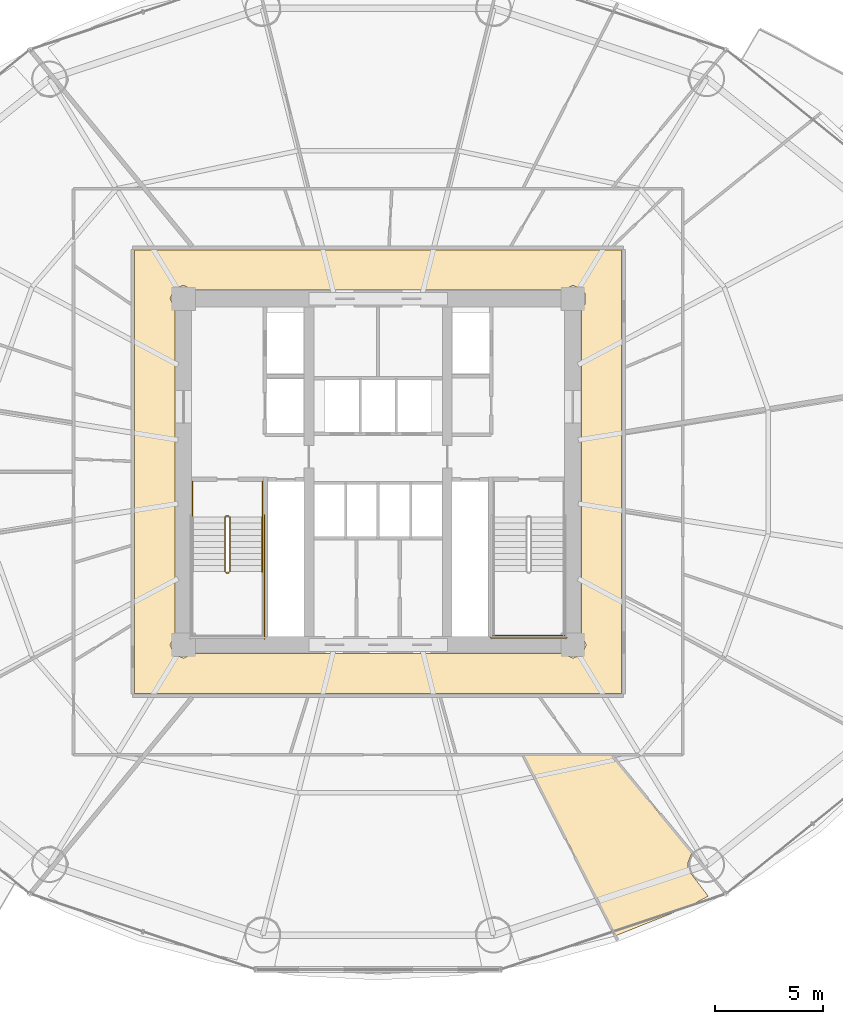
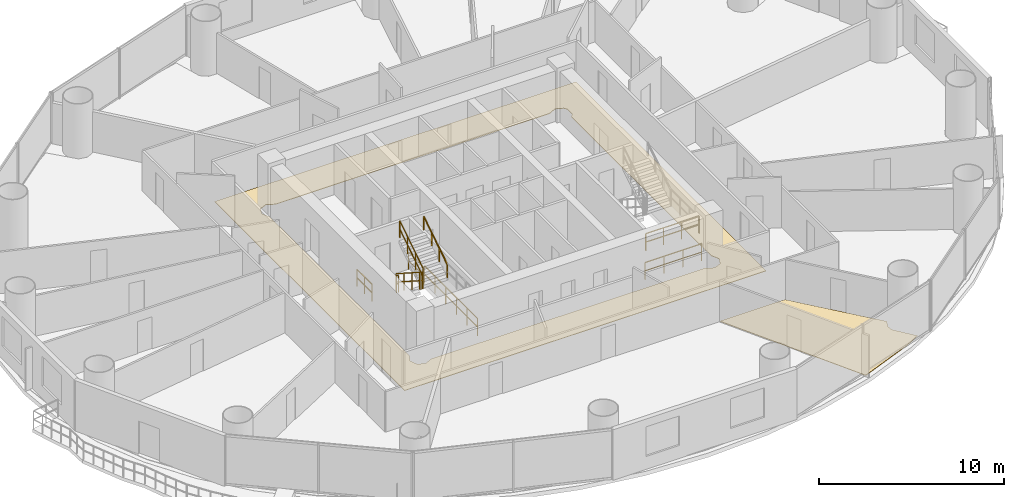
# One storey, part 26 of 28: 10 railings, 2 coverings.
"""IFC4 building model written with IfcOpenShell, lengths in metres."""

from ifc_helpers import new_model, si_unit, direction, frame, origin, origin_2d, place, context, subcontext, project, spatial, polyline, rectangle, outline, extrude, material, layer, layer_set, type_object, element, save


model = new_model("IFC4")

# Units and contexts
model_context = context("Model", 3, precision=1e-05, world=origin(), true_north=direction((-0.2419218956, 0.970295726276)))
body_context = subcontext(model_context, "Body", "Model", "MODEL_VIEW")
ifc_project = project(units=[si_unit("LENGTHUNIT", "METRE"), si_unit("AREAUNIT", "SQUARE_METRE"), si_unit("VOLUMEUNIT", "CUBIC_METRE"), si_unit("PLANEANGLEUNIT", "RADIAN"), si_unit("MASSUNIT", "GRAM", prefix="KILO")], contexts=[model_context])

# Site, building, storey
site_placement = place(None, origin())
site = spatial("IfcSite", under=ifc_project, at=site_placement, CompositionType="ELEMENT")
building_placement = place(site_placement, origin())
building = spatial("IfcBuilding", under=site, at=building_placement, Name="Cobrevalo Terracotta Tower", CompositionType="ELEMENT")
storey_placement = place(building_placement, frame((0.0, 0.0, 34.800048828125)))
storey = spatial("IfcBuildingStorey", under=building, at=storey_placement, Name="L08", CompositionType="ELEMENT", Elevation=34.800048828125)

# Coverings
ifc_material_1 = material(Name="Engineered Brazilian hardwood flooring", Category="wood")
ifc_layer_1 = layer(ifc_material_1, 0.028076171875)
ifc_layer_set_1 = layer_set([ifc_layer_1], Name="Engineered Brazilian hardwood flooring")
covering_type_1 = type_object("IfcCoveringType", Name="Engineered Hardwood Suite Flooring 28", PredefinedType="FLOORING", material=ifc_layer_set_1)
covering_1_placement = place(storey_placement, origin())
element("IfcCovering", 1, at=covering_1_placement, inside=storey, type_object=covering_type_1, Name="Flat L08C Master Bedroom floor finish", PredefinedType="FLOORING", context=body_context, shape_type="SweptSolid", body=[
    extrude(outline(polyline([(48.9873046875, 5.3486328125), (44.72119140625, 13.695068359375), (48.780029296875, 13.695068359375), (52.5048828125, 9.177490234375), (52.318115234375, 8.71044921875), (52.35498046875, 8.369140625), (53.26318359375, 7.178955078125), (52.361572265625, 6.691650390625), (48.9873046875, 5.3486328125)])), origin(), (0.0, 0.0, 1.0), 0.030029296875),
])
ifc_material_2 = material(Name="Honed terracotta and granite tile", Category="masonry")
ifc_layer_2 = layer(ifc_material_2, 0.034912109375)
ifc_layer_set_2 = layer_set([ifc_layer_2], Name="Honed terracotta and granite tile")
covering_type_2 = type_object("IfcCoveringType", Name="Honed Terracotta & Granite Interior Flooring 35", PredefinedType="FLOORING", material=ifc_layer_set_2)
covering_2_placement = place(storey_placement, origin())
element("IfcCovering", 2, at=covering_2_placement, inside=storey, type_object=covering_type_2, Name="L08 Residential Floor Corridor floor finish", PredefinedType="FLOORING", context=body_context, shape_type="SweptSolid", body=[
    extrude(outline(polyline([(49.2548828125, 37.054931640625), (49.2548828125, 16.544921875), (26.7451171875, 16.544921875), (26.7451171875, 37.054931640625), (49.2548828125, 37.054931640625)]), holes=[polyline([(47.39501953125, 34.33203125), (47.5732421875, 34.5625), (47.5732421875, 35.037353515625), (47.438720703125, 35.23876953125), (47.0, 35.42041015625), (46.5322265625, 35.195068359375), (29.4677734375, 35.195068359375), (29.0, 35.42041015625), (28.561279296875, 35.23876953125), (28.379638671875, 34.800048828125), (28.60498046875, 34.33203125), (28.60498046875, 19.267822265625), (28.379638671875, 18.800048828125), (28.561279296875, 18.361328125), (29.0, 18.1796875), (29.4677734375, 18.405029296875), (46.5322265625, 18.405029296875), (47.0, 18.1796875), (47.438720703125, 18.361328125), (47.620361328125, 18.800048828125), (47.39501953125, 19.267822265625), (47.39501953125, 34.33203125)])]), origin(), (0.0, 0.0, 1.0), 0.030029296875),
])

# Railings
ifc_material_3 = material(Name="Brushed stainless steel", Category="steel")
railing_type_1 = type_object("IfcRailingType", Name="Stainless Steel Stair Handrail 900", PredefinedType="HANDRAIL", material=ifc_material_3)
railing_1_placement = place(storey_placement, frame((32.64501953125, 22.179931640625, 1.97998046875)))
element("IfcRailing", 3, at=railing_1_placement, inside=storey, type_object=railing_type_1, Name="L08 ST-1 stair handrail 2", PredefinedType="HANDRAIL", context=body_context, shape_type="SweptSolid", body=[
    extrude(rectangle(XDim=0.048095703125, YDim=0.048095703125, at=origin_2d()), frame((0.0, 0.0, 0.8759765625), z_axis=(0.0, 0.841199657755, 0.540724639528), x_axis=(-1.0, 0.0, 0.0)), (0.0, 0.0, 1.0), 2.995849609375),
    extrude(rectangle(XDim=0.0419921875, YDim=0.0419921875, at=origin_2d()), origin(), (0.0, 0.0, 1.0), 0.851806640625),
    extrude(rectangle(XDim=0.0419921875, YDim=0.0419921875, at=origin_2d()), frame((0.0, 0.840087890625, 0.5400390625)), (0.0, 0.0, 1.0), 0.851806640625),
    extrude(rectangle(XDim=0.0419921875, YDim=0.0419921875, at=origin_2d()), frame((0.0, 1.679931640625, 1.079833984375)), (0.0, 0.0, 1.0), 0.851806640625),
    extrude(rectangle(XDim=0.0419921875, YDim=0.0419921875, at=origin_2d()), frame((0.0, 2.52001953125, 1.619873046875)), (0.0, 0.0, 1.0), 0.851806640625),
])
ifc_material_4 = material(Name="Painted galvanized steel", Category="steel")
railing_type_2 = type_object("IfcRailingType", Name="Stair Well Guard Balustrade 1150", PredefinedType="GUARDRAIL", material=ifc_material_4)
railing_2_placement = place(storey_placement, frame((30.925048828125, 24.699951171875, 0.179931640625)))
element("IfcRailing", 4, at=railing_2_placement, inside=storey, type_object=railing_type_2, Name="L08 ST-1 stair guard 1", PredefinedType="GUARDRAIL", context=body_context, shape_type="SweptSolid", body=[
    extrude(rectangle(XDim=0.048095703125, YDim=0.048095703125, at=origin_2d()), frame((0.0, 0.0, 1.1259765625), z_axis=(0.0, -0.841162588446, 0.540782303519), x_axis=(1.0, 0.0, 0.0)), (0.0, 0.0, 1.0), 2.995849609375),
    extrude(rectangle(XDim=0.048095703125, YDim=0.048095703125, at=origin_2d()), frame((0.0, 0.0, 0.574951171875), z_axis=(0.0, -0.841162588446, 0.540782303519), x_axis=(1.0, 0.0, 0.0)), (0.0, 0.0, 1.0), 2.995849609375),
    extrude(rectangle(XDim=0.0419921875, YDim=0.0419921875, at=origin_2d()), origin(), (0.0, 0.0, 1.0), 1.101806640625),
    extrude(rectangle(XDim=0.0419921875, YDim=0.0419921875, at=origin_2d()), frame((0.0, -0.840087890625, 0.5400390625)), (0.0, 0.0, 1.0), 1.101806640625),
    extrude(rectangle(XDim=0.0419921875, YDim=0.0419921875, at=origin_2d()), frame((0.0, -1.679931640625, 1.080078125)), (0.0, 0.0, 1.0), 1.101806640625),
    extrude(rectangle(XDim=0.0419921875, YDim=0.0419921875, at=origin_2d()), frame((0.0, -2.52001953125, 1.6201171875)), (0.0, 0.0, 1.0), 1.101806640625),
])
railing_3_placement = place(storey_placement, frame((30.97509765625, 22.1298828125, 1.800048828125)))
element("IfcRailing", 5, at=railing_3_placement, inside=storey, type_object=railing_type_2, Name="L08 ST-1 stair guard 2", PredefinedType="GUARDRAIL", context=body_context, shape_type="SweptSolid", body=[
    extrude(rectangle(XDim=0.048095703125, YDim=0.048095703125, at=origin_2d()), frame((0.0, 0.0, 1.1259765625), z_axis=(1.0, 0.0, 0.0), x_axis=(0.0, 1.0, 0.0)), (0.0, 0.0, 1.0), 0.119873046875),
    extrude(rectangle(XDim=0.048095703125, YDim=0.048095703125, at=origin_2d()), frame((0.0, 0.0, 0.574951171875), z_axis=(1.0, 0.0, 0.0), x_axis=(0.0, 1.0, 0.0)), (0.0, 0.0, 1.0), 0.119873046875),
    extrude(rectangle(XDim=0.0419921875, YDim=0.0419921875, at=origin_2d()), origin(), (0.0, 0.0, 1.0), 1.101806640625),
    extrude(rectangle(XDim=0.0419921875, YDim=0.0419921875, at=origin_2d()), frame((0.119873046875, 0.0, 0.0)), (0.0, 0.0, 1.0), 1.101806640625),
])
railing_4_placement = place(storey_placement, frame((31.14501953125, 22.179931640625, 1.97998046875)))
element("IfcRailing", 6, at=railing_4_placement, inside=storey, type_object=railing_type_2, Name="L08 ST-1 stair guard 6", PredefinedType="GUARDRAIL", context=body_context, shape_type="SweptSolid", body=[
    extrude(rectangle(XDim=0.048095703125, YDim=0.048095703125, at=origin_2d()), frame((0.0, 0.0, 1.1259765625), z_axis=(0.0, 0.841199657755, 0.540724639528), x_axis=(-1.0, 0.0, 0.0)), (0.0, 0.0, 1.0), 2.995849609375),
    extrude(rectangle(XDim=0.048095703125, YDim=0.048095703125, at=origin_2d()), frame((0.0, 0.0, 0.574951171875), z_axis=(0.0, 0.841199657755, 0.540724639528), x_axis=(-1.0, 0.0, 0.0)), (0.0, 0.0, 1.0), 2.995849609375),
    extrude(rectangle(XDim=0.0419921875, YDim=0.0419921875, at=origin_2d()), origin(), (0.0, 0.0, 1.0), 1.101806640625),
    extrude(rectangle(XDim=0.0419921875, YDim=0.0419921875, at=origin_2d()), frame((0.0, 0.840087890625, 0.5400390625)), (0.0, 0.0, 1.0), 1.101806640625),
    extrude(rectangle(XDim=0.0419921875, YDim=0.0419921875, at=origin_2d()), frame((0.0, 1.679931640625, 1.079833984375)), (0.0, 0.0, 1.0), 1.101806640625),
    extrude(rectangle(XDim=0.0419921875, YDim=0.0419921875, at=origin_2d()), frame((0.0, 2.52001953125, 1.619873046875)), (0.0, 0.0, 1.0), 1.101806640625),
])
railing_5_placement = place(storey_placement, frame((30.97509765625, 24.75, 0.0)))
element("IfcRailing", 7, at=railing_5_placement, inside=storey, type_object=railing_type_2, Name="L08 ST-1 stair guard 7", PredefinedType="GUARDRAIL", context=body_context, shape_type="SweptSolid", body=[
    extrude(rectangle(XDim=0.048095703125, YDim=0.048095703125, at=origin_2d()), frame((0.0, 0.0, 1.1259765625), z_axis=(1.0, 0.0, 0.0), x_axis=(0.0, 1.0, 0.0)), (0.0, 0.0, 1.0), 0.119873046875),
    extrude(rectangle(XDim=0.048095703125, YDim=0.048095703125, at=origin_2d()), frame((0.0, 0.0, 0.574951171875), z_axis=(1.0, 0.0, 0.0), x_axis=(0.0, 1.0, 0.0)), (0.0, 0.0, 1.0), 0.119873046875),
    extrude(rectangle(XDim=0.0419921875, YDim=0.0419921875, at=origin_2d()), origin(), (0.0, 0.0, 1.0), 1.101806640625),
    extrude(rectangle(XDim=0.0419921875, YDim=0.0419921875, at=origin_2d()), frame((0.119873046875, 0.0, 0.0)), (0.0, 0.0, 1.0), 1.101806640625),
])
for number, where, name in (
    (8, (29.425048828125, 26.35009765625, 0.0), "L08 ST-1 stair guard 8"),
    (9, (32.64501953125, 26.35009765625, 0.0), "L08 ST-1 stair guard 9"),
):
    element("IfcRailing", number, at=place(storey_placement, frame(where)), inside=storey, type_object=railing_type_2, Name=name, PredefinedType="GUARDRAIL", context=body_context, shape_type="SweptSolid", body=[
        extrude(rectangle(XDim=0.048095703125, YDim=0.048095703125, at=origin_2d()), frame((0.0, 0.0, 1.1259765625), z_axis=(0.0, -1.0, 0.0), x_axis=(1.0, 0.0, 0.0)), (0.0, 0.0, 1.0), 1.650146484375),
        extrude(rectangle(XDim=0.048095703125, YDim=0.048095703125, at=origin_2d()), frame((0.0, 0.0, 0.574951171875), z_axis=(0.0, -1.0, 0.0), x_axis=(1.0, 0.0, 0.0)), (0.0, 0.0, 1.0), 1.650146484375),
        extrude(rectangle(XDim=0.0419921875, YDim=0.0419921875, at=origin_2d()), origin(), (0.0, 0.0, 1.0), 1.101806640625),
        extrude(rectangle(XDim=0.0419921875, YDim=0.0419921875, at=origin_2d()), frame((0.0, -0.8251953125, 0.0)), (0.0, 0.0, 1.0), 1.101806640625),
        extrude(rectangle(XDim=0.0419921875, YDim=0.0419921875, at=origin_2d()), frame((0.0, -1.650146484375, 0.0)), (0.0, 0.0, 1.0), 1.101806640625),
    ])
railing_6_placement = place(storey_placement, frame((32.7451171875, 24.800048828125, 0.0)))
element("IfcRailing", 10, at=railing_6_placement, inside=storey, type_object=railing_type_2, Name="L08 ST-1 stair guard 11", PredefinedType="GUARDRAIL", context=body_context, shape_type="SweptSolid", body=[
    extrude(rectangle(XDim=0.048095703125, YDim=0.048095703125, at=origin_2d()), frame((0.0, 0.0, 1.1259765625), z_axis=(0.0, -1.0, 0.0), x_axis=(1.0, 0.0, 0.0)), (0.0, 0.0, 1.0), 5.72509765625),
    extrude(rectangle(XDim=0.048095703125, YDim=0.048095703125, at=origin_2d()), frame((0.0, 0.0, 0.574951171875), z_axis=(0.0, -1.0, 0.0), x_axis=(1.0, 0.0, 0.0)), (0.0, 0.0, 1.0), 5.72509765625),
    extrude(rectangle(XDim=0.0419921875, YDim=0.0419921875, at=origin_2d()), origin(), (0.0, 0.0, 1.0), 1.101806640625),
    extrude(rectangle(XDim=0.0419921875, YDim=0.0419921875, at=origin_2d()), frame((0.0, -1.14501953125, 0.0)), (0.0, 0.0, 1.0), 1.101806640625),
    extrude(rectangle(XDim=0.0419921875, YDim=0.0419921875, at=origin_2d()), frame((0.0, -2.2900390625, 0.0)), (0.0, 0.0, 1.0), 1.101806640625),
    extrude(rectangle(XDim=0.0419921875, YDim=0.0419921875, at=origin_2d()), frame((0.0, -3.43505859375, 0.0)), (0.0, 0.0, 1.0), 1.101806640625),
    extrude(rectangle(XDim=0.0419921875, YDim=0.0419921875, at=origin_2d()), frame((0.0, -4.580078125, 0.0)), (0.0, 0.0, 1.0), 1.101806640625),
    extrude(rectangle(XDim=0.0419921875, YDim=0.0419921875, at=origin_2d()), frame((0.0, -5.72509765625, 0.0)), (0.0, 0.0, 1.0), 1.101806640625),
])
railing_7_placement = place(storey_placement, frame((43.304931640625, 19.22509765625, 1.800048828125)))
element("IfcRailing", 11, at=railing_7_placement, inside=storey, type_object=railing_type_2, Name="L08 ST-2 stair guard 5", PredefinedType="GUARDRAIL", context=body_context, shape_type="SweptSolid", body=[
    extrude(rectangle(XDim=0.048095703125, YDim=0.048095703125, at=origin_2d()), frame((0.0, 0.0, 1.1259765625), z_axis=(1.0, 0.0, 0.0), x_axis=(0.0, 1.0, 0.0)), (0.0, 0.0, 1.0), 3.320068359375),
    extrude(rectangle(XDim=0.048095703125, YDim=0.048095703125, at=origin_2d()), frame((0.0, 0.0, 0.574951171875), z_axis=(1.0, 0.0, 0.0), x_axis=(0.0, 1.0, 0.0)), (0.0, 0.0, 1.0), 3.320068359375),
    extrude(rectangle(XDim=0.0419921875, YDim=0.0419921875, at=origin_2d()), origin(), (0.0, 0.0, 1.0), 1.101806640625),
    extrude(rectangle(XDim=0.0419921875, YDim=0.0419921875, at=origin_2d()), frame((1.106689453125, 0.0, 0.0)), (0.0, 0.0, 1.0), 1.101806640625),
    extrude(rectangle(XDim=0.0419921875, YDim=0.0419921875, at=origin_2d()), frame((2.21337890625, 0.0, 0.0)), (0.0, 0.0, 1.0), 1.101806640625),
    extrude(rectangle(XDim=0.0419921875, YDim=0.0419921875, at=origin_2d()), frame((3.320068359375, 0.0, 0.0)), (0.0, 0.0, 1.0), 1.101806640625),
])
railing_8_placement = place(storey_placement, frame((43.205078125, 19.125, 0.0)))
element("IfcRailing", 12, at=railing_8_placement, inside=storey, type_object=railing_type_2, Name="L08 ST-2 stair guard 12", PredefinedType="GUARDRAIL", context=body_context, shape_type="SweptSolid", body=[
    extrude(rectangle(XDim=0.048095703125, YDim=0.048095703125, at=origin_2d()), frame((0.0, 0.0, 1.1259765625), z_axis=(1.0, 0.0, 0.0), x_axis=(0.0, 1.0, 0.0)), (0.0, 0.0, 1.0), 3.52001953125),
    extrude(rectangle(XDim=0.048095703125, YDim=0.048095703125, at=origin_2d()), frame((0.0, 0.0, 0.574951171875), z_axis=(1.0, 0.0, 0.0), x_axis=(0.0, 1.0, 0.0)), (0.0, 0.0, 1.0), 3.52001953125),
    extrude(rectangle(XDim=0.0419921875, YDim=0.0419921875, at=origin_2d()), origin(), (0.0, 0.0, 1.0), 1.101806640625),
    extrude(rectangle(XDim=0.0419921875, YDim=0.0419921875, at=origin_2d()), frame((1.17333984375, 0.0, 0.0)), (0.0, 0.0, 1.0), 1.101806640625),
    extrude(rectangle(XDim=0.0419921875, YDim=0.0419921875, at=origin_2d()), frame((2.3466796875, 0.0, 0.0)), (0.0, 0.0, 1.0), 1.101806640625),
    extrude(rectangle(XDim=0.0419921875, YDim=0.0419921875, at=origin_2d()), frame((3.52001953125, 0.0, 0.0)), (0.0, 0.0, 1.0), 1.101806640625),
])

save(model, "model.ifc")
